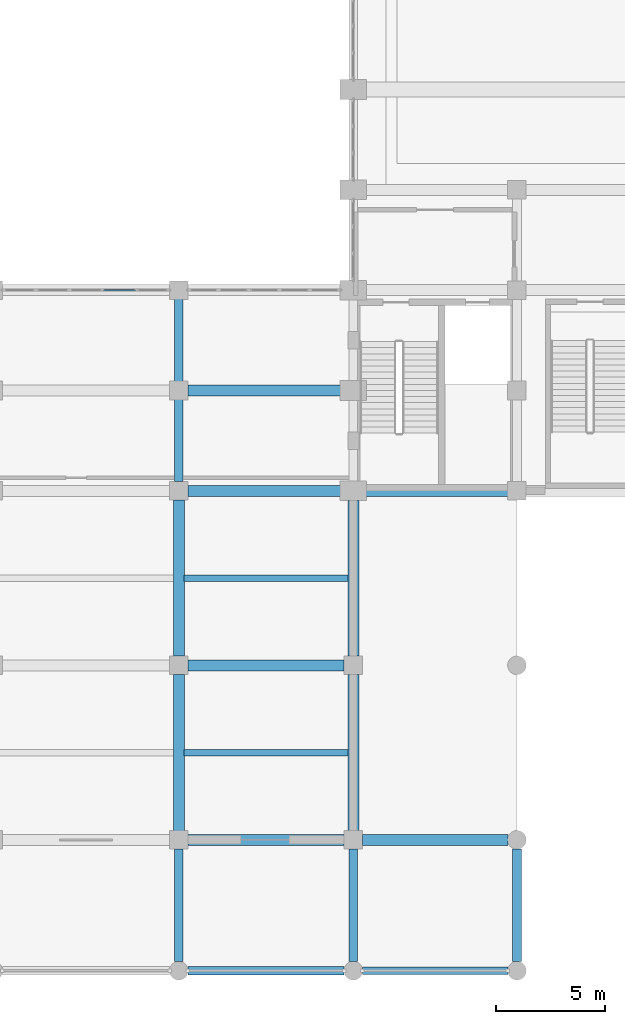
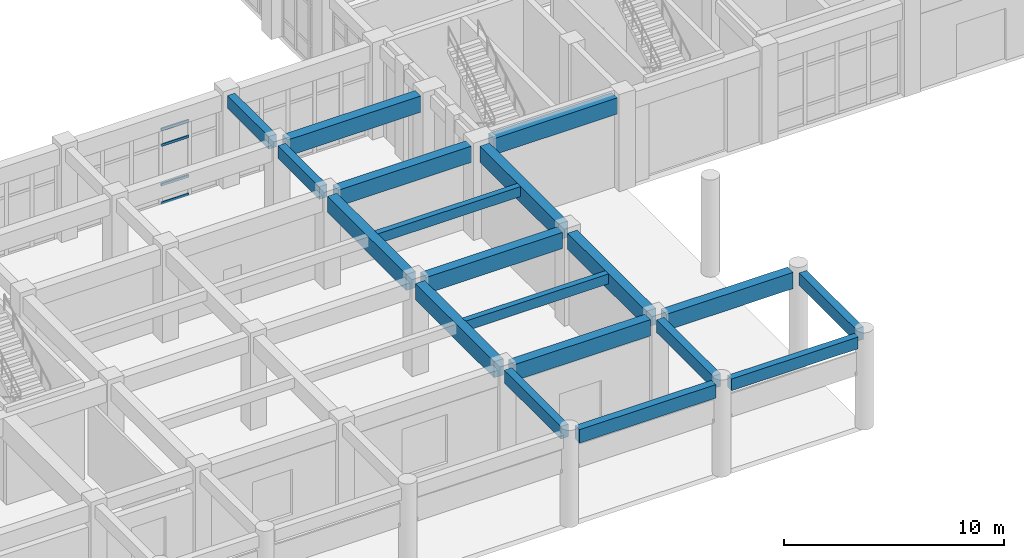
# One storey, part 10 of 84: 19 beams, 4 members, 1 element without a shape of its own.
"""IFC4 building model written with IfcOpenShell, lengths in metres."""

from ifc_helpers import new_model, si_unit, direction, frame, origin, origin_2d, place, context, subcontext, project, spatial, rectangle, hollow_rectangle, extrude, material, layer, layer_set, material_profile, profile_set, type_object, element, aggregate, save


model = new_model("IFC4")

# Units and contexts
model_context = context("Model", 3, precision=1e-05, world=origin(), true_north=direction((0.0, 1.0)))
body_context = subcontext(model_context, "Body", "Model", "MODEL_VIEW")
ifc_project = project(units=[si_unit("LENGTHUNIT", "METRE"), si_unit("AREAUNIT", "SQUARE_METRE"), si_unit("VOLUMEUNIT", "CUBIC_METRE"), si_unit("PLANEANGLEUNIT", "RADIAN"), si_unit("MASSUNIT", "GRAM", prefix="KILO")], contexts=[model_context])

# Site, building, storey
site_placement = place(None, origin())
site = spatial("IfcSite", under=ifc_project, at=site_placement, CompositionType="ELEMENT")
building_placement = place(site_placement, origin())
building = spatial("IfcBuilding", under=site, at=building_placement, Name="Muzn Square Opera House", CompositionType="ELEMENT")
storey_placement = place(building_placement, origin())
storey = spatial("IfcBuildingStorey", under=building, at=storey_placement, Name="L00", CompositionType="ELEMENT", Elevation=0.0)

# Curtain wall, members
ifc_material_1 = material(Name="Low-E laminated acoustic double glazing", Category="glass")
ifc_layer = layer(ifc_material_1, 0.159912109375, Name="Low-E laminated acoustic double glazing", Category="glass")
ifc_layer_set = layer_set([ifc_layer], Name="Low-E laminated acoustic double glazing")
curtain_wall_type = type_object("IfcCurtainWallType", Name="Glazed Curtain Wall WestCloisterS 7650x4150", PredefinedType="USERDEFINED", material=ifc_layer_set)
curtain_wall_placement = place(storey_placement, origin())
curtain_wall = element("IfcCurtainWall", 1, at=curtain_wall_placement, inside=storey, type_object=curtain_wall_type, Name="Glazed Curtain Wall CW-L00-071", ObjectType="GLAZED CURTAIN WALL", PredefinedType="USERDEFINED")
ifc_material_2 = material(Name="Anodised bronze aluminium 6063-T6", Category="metal")
ifc_material_profile_1 = material_profile(ifc_material_2, hollow_rectangle(XDim=0.070068359375, YDim=0.139892578125, WallThickness=0.00390625, at=origin_2d()), Name="ALU 140x70x4", Category="metal")
ifc_profile_set_1 = profile_set([ifc_material_profile_1], Name="Anodised bronze aluminium 6063-T6")
member_type = type_object("IfcMemberType", Name="Curtain Wall Transom 140x70", PredefinedType="USERDEFINED", material=ifc_profile_set_1)
member_1_placement = place(storey_placement, frame((31.550048828125, 31.199951171875, 0.034912109375), z_axis=(1.0, 0.0, 0.0), x_axis=(0.0, 1.0, 0.0)))
member_1 = element("IfcMember", 2, at=member_1_placement, type_object=member_type, Name="CW-WCS-76x41 transom 4.1", ObjectType="TRANSOM", PredefinedType="USERDEFINED", context=body_context, shape_type="SweptSolid", body=[
    extrude(hollow_rectangle(XDim=0.070068359375, YDim=0.139892578125, WallThickness=0.00390625, at=origin_2d()), origin(), (0.0, 0.0, 1.0), 1.4599609375),
])
member_2_placement = place(storey_placement, frame((31.550048828125, 31.199951171875, 1.050048828125), z_axis=(1.0, 0.0, 0.0), x_axis=(0.0, 1.0, 0.0)))
member_2 = element("IfcMember", 3, at=member_2_placement, type_object=member_type, Name="CW-WCS-76x41 transom 4.2", ObjectType="TRANSOM", PredefinedType="USERDEFINED", context=body_context, shape_type="SweptSolid", body=[
    extrude(hollow_rectangle(XDim=0.070068359375, YDim=0.139892578125, WallThickness=0.00390625, at=origin_2d()), origin(), (0.0, 0.0, 1.0), 1.4599609375),
])
member_3_placement = place(storey_placement, frame((31.550048828125, 31.199951171875, 3.25), z_axis=(1.0, 0.0, 0.0), x_axis=(0.0, 1.0, 0.0)))
member_3 = element("IfcMember", 4, at=member_3_placement, type_object=member_type, Name="CW-WCS-76x41 transom 4.3", ObjectType="TRANSOM", PredefinedType="USERDEFINED", context=body_context, shape_type="SweptSolid", body=[
    extrude(hollow_rectangle(XDim=0.070068359375, YDim=0.139892578125, WallThickness=0.00390625, at=origin_2d()), origin(), (0.0, 0.0, 1.0), 1.4599609375),
])
member_4_placement = place(storey_placement, frame((31.550048828125, 31.199951171875, 4.114990234375), z_axis=(1.0, 0.0, 0.0), x_axis=(0.0, 1.0, 0.0)))
member_4 = element("IfcMember", 5, at=member_4_placement, type_object=member_type, Name="CW-WCS-76x41 transom 4.4", ObjectType="TRANSOM", PredefinedType="USERDEFINED", context=body_context, shape_type="SweptSolid", body=[
    extrude(hollow_rectangle(XDim=0.070068359375, YDim=0.139892578125, WallThickness=0.00390625, at=origin_2d()), origin(), (0.0, 0.0, 1.0), 1.4599609375),
])
aggregate(curtain_wall, [member_1, member_2, member_3, member_4])

# Beams
ifc_material_3 = material(Name="Concrete C40/50", Category="concrete")
ifc_material_profile_2 = material_profile(ifc_material_3, rectangle(XDim=0.300048828125, YDim=0.550048828125, at=origin_2d()), Name="RCJ 300x550", Category="concrete")
ifc_profile_set_2 = profile_set([ifc_material_profile_2], Name="Concrete C40/50")
beam_type_1 = type_object("IfcBeamType", Name="Floor Joist 300x550", PredefinedType="JOIST", material=ifc_profile_set_2)
for number, where, z_axis, x_axis, name in (
    (6, (35.241943359375, 10.0, 4.844970703125), (1.0, 0.0, 0.0), (0.0, 1.0, 0.0), "Floor Joist BM-L00-BM-J550-352_100_428_100-1202"),
    (7, (35.241943359375, 18.0, 4.844970703125), (1.0, 0.0, 0.0), (0.0, 1.0, 0.0), "Floor Joist BM-L00-BM-J550-352_180_428_180-1203"),
):
    element("IfcBeam", number, at=place(storey_placement, frame(where, z_axis=z_axis, x_axis=x_axis)), inside=storey, type_object=beam_type_1, Name=name, PredefinedType="JOIST", context=body_context, shape_type="SweptSolid", body=[
        extrude(rectangle(XDim=0.300048828125, YDim=0.550048828125, at=origin_2d()), origin(), (0.0, 0.0, 1.0), 7.51611328125),
    ])
ifc_material_profile_3 = material_profile(ifc_material_3, rectangle(XDim=0.39990234375, YDim=0.699951171875, at=origin_2d()), Name="RCB 400x700", Category="concrete")
ifc_profile_set_3 = profile_set([ifc_material_profile_3], Name="Concrete C40/50")
beam_type_2 = type_object("IfcBeamType", Name="Primary Girder 400x700", PredefinedType="BEAM", material=ifc_profile_set_3)
beam_1_placement = place(storey_placement, frame((35.0, 0.4169921875, 4.7900390625), z_axis=(0.0, 1.0, 0.0), x_axis=(-1.0, 0.0, 0.0)))
element("IfcBeam", 8, at=beam_1_placement, inside=storey, type_object=beam_type_2, Name="Primary Girder BM-L00-BM-PG700-350_4_350_56-1007", PredefinedType="BEAM", context=body_context, shape_type="SweptSolid", body=[
    extrude(rectangle(XDim=0.39990234375, YDim=0.699951171875, at=origin_2d()), origin(), (0.0, 0.0, 1.0), 5.166015625),
])
beam_2_placement = place(storey_placement, frame((35.0, 22.4169921875, 4.77001953125), z_axis=(0.0, 1.0, 0.0), x_axis=(-1.0, 0.0, 0.0)))
element("IfcBeam", 9, at=beam_2_placement, inside=storey, type_object=beam_type_2, Name="Primary Girder BM-L00-BM-PG700-350_224_350_262-1010", PredefinedType="BEAM", context=body_context, shape_type="SweptSolid", body=[
    extrude(rectangle(XDim=0.39990234375, YDim=0.699951171875, at=origin_2d()), origin(), (0.0, 0.0, 1.0), 3.76611328125),
])
beam_3_placement = place(storey_placement, frame((35.0, 27.01708984375, 4.77001953125), z_axis=(0.0, 1.0, 0.0), x_axis=(-1.0, 0.0, 0.0)))
element("IfcBeam", 10, at=beam_3_placement, inside=storey, type_object=beam_type_2, Name="Primary Girder BM-L00-BM-PG700-350_270_350_308-1011", PredefinedType="BEAM", context=body_context, shape_type="SweptSolid", body=[
    extrude(rectangle(XDim=0.39990234375, YDim=0.699951171875, at=origin_2d()), origin(), (0.0, 0.0, 1.0), 3.765869140625),
])
for number, where, z_axis, x_axis, name in (
    (11, (43.0, 0.4169921875, 4.7900390625), (0.0, 1.0, 0.0), (-1.0, 0.0, 0.0), "Primary Girder BM-L00-BM-PG700-430_4_430_56-1020"),
    (12, (50.5, 0.4169921875, 4.77001953125), (0.0, 1.0, 0.0), (-1.0, 0.0, 0.0), "Primary Girder BM-L00-BM-PG700-505_4_505_56-1038"),
):
    element("IfcBeam", number, at=place(storey_placement, frame(where, z_axis=z_axis, x_axis=x_axis)), inside=storey, type_object=beam_type_2, Name=name, PredefinedType="BEAM", context=body_context, shape_type="SweptSolid", body=[
        extrude(rectangle(XDim=0.39990234375, YDim=0.699951171875, at=origin_2d()), origin(), (0.0, 0.0, 1.0), 5.166015625),
    ])
ifc_material_profile_4 = material_profile(ifc_material_3, rectangle(XDim=0.5, YDim=0.89990234375, at=origin_2d()), Name="RCB 500x900", Category="concrete")
ifc_profile_set_4 = profile_set([ifc_material_profile_4], Name="Concrete C40/50")
beam_type_3 = type_object("IfcBeamType", Name="Primary Girder 500x900", PredefinedType="BEAM", material=ifc_profile_set_4)
beam_4_placement = place(storey_placement, frame((35.4169921875, 6.0, 4.669921875), z_axis=(1.0, 0.0, 0.0), x_axis=(0.0, 1.0, 0.0)))
element("IfcBeam", 13, at=beam_4_placement, inside=storey, type_object=beam_type_3, Name="Primary Girder BM-L00-BM-PG900-354_60_426_60-739", PredefinedType="BEAM", context=body_context, shape_type="SweptSolid", body=[
    extrude(rectangle(XDim=0.5, YDim=0.89990234375, at=origin_2d()), origin(), (0.0, 0.0, 1.0), 7.166015625),
])
beam_5_placement = place(storey_placement, frame((43.4169921875, 6.0, 4.669921875), z_axis=(1.0, 0.0, 0.0), x_axis=(0.0, 1.0, 0.0)))
element("IfcBeam", 14, at=beam_5_placement, inside=storey, type_object=beam_type_3, Name="Primary Girder BM-L00-BM-PG900-434_60_501_60-740", PredefinedType="BEAM", context=body_context, shape_type="SweptSolid", body=[
    extrude(rectangle(XDim=0.5, YDim=0.89990234375, at=origin_2d()), origin(), (0.0, 0.0, 1.0), 6.666015625),
])
beam_6_placement = place(storey_placement, frame((35.4169921875, 14.0, 4.669921875), z_axis=(1.0, 0.0, 0.0), x_axis=(0.0, 1.0, 0.0)))
element("IfcBeam", 15, at=beam_6_placement, inside=storey, type_object=beam_type_3, Name="Primary Girder BM-L00-BM-PG900-354_140_426_140-751", PredefinedType="BEAM", context=body_context, shape_type="SweptSolid", body=[
    extrude(rectangle(XDim=0.5, YDim=0.89990234375, at=origin_2d()), origin(), (0.0, 0.0, 1.0), 7.166015625),
])
beam_7_placement = place(storey_placement, frame((35.4169921875, 22.0, 4.669921875), z_axis=(1.0, 0.0, 0.0), x_axis=(0.0, 1.0, 0.0)))
element("IfcBeam", 16, at=beam_7_placement, inside=storey, type_object=beam_type_3, Name="Primary Girder BM-L00-BM-PG900-354_220_424_220-758", PredefinedType="BEAM", context=body_context, shape_type="SweptSolid", body=[
    extrude(rectangle(XDim=0.5, YDim=0.89990234375, at=origin_2d()), origin(), (0.0, 0.0, 1.0), 6.990966796875),
])
beam_8_placement = place(storey_placement, frame((43.592041015625, 22.0, 4.669921875), z_axis=(1.0, 0.0, 0.0), x_axis=(0.0, 1.0, 0.0)))
element("IfcBeam", 17, at=beam_8_placement, inside=storey, type_object=beam_type_3, Name="Primary Girder BM-L00-BM-PG900-436_220_501_220-759", PredefinedType="BEAM", context=body_context, shape_type="SweptSolid", body=[
    extrude(rectangle(XDim=0.5, YDim=0.89990234375, at=origin_2d()), origin(), (0.0, 0.0, 1.0), 6.490966796875),
])
beam_9_placement = place(storey_placement, frame((35.4169921875, 26.60009765625, 4.669921875), z_axis=(1.0, 0.0, 0.0), x_axis=(0.0, 1.0, 0.0)))
element("IfcBeam", 18, at=beam_9_placement, inside=storey, type_object=beam_type_3, Name="Primary Girder BM-L00-BM-PG900-354_266_424_266-778", PredefinedType="BEAM", context=body_context, shape_type="SweptSolid", body=[
    extrude(rectangle(XDim=0.5, YDim=0.89990234375, at=origin_2d()), origin(), (0.0, 0.0, 1.0), 6.990966796875),
])
for number, where, z_axis, x_axis, name in (
    (19, (35.0, 6.4169921875, 4.669921875), (0.0, 1.0, 0.0), (-1.0, 0.0, 0.0), "Primary Girder BM-L00-BM-PG900-350_64_350_136-1008"),
    (20, (35.0, 14.4169921875, 4.669921875), (0.0, 1.0, 0.0), (-1.0, 0.0, 0.0), "Primary Girder BM-L00-BM-PG900-350_144_350_216-1009"),
    (21, (43.0, 6.4169921875, 4.669921875), (0.0, 1.0, 0.0), (-1.0, 0.0, 0.0), "Primary Girder BM-L00-BM-PG900-430_64_430_136-1021"),
):
    element("IfcBeam", number, at=place(storey_placement, frame(where, z_axis=z_axis, x_axis=x_axis)), inside=storey, type_object=beam_type_3, Name=name, PredefinedType="BEAM", context=body_context, shape_type="SweptSolid", body=[
        extrude(rectangle(XDim=0.5, YDim=0.89990234375, at=origin_2d()), origin(), (0.0, 0.0, 1.0), 7.166015625),
    ])
beam_10_placement = place(storey_placement, frame((43.0, 14.4169921875, 4.669921875), z_axis=(0.0, 1.0, 0.0), x_axis=(-1.0, 0.0, 0.0)))
element("IfcBeam", 22, at=beam_10_placement, inside=storey, type_object=beam_type_3, Name="Primary Girder BM-L00-BM-PG900-430_144_430_216-1022", PredefinedType="BEAM", context=body_context, shape_type="SweptSolid", body=[
    extrude(rectangle(XDim=0.5, YDim=0.89990234375, at=origin_2d()), origin(), (0.0, 0.0, 1.0), 7.14111328125),
])
ifc_material_profile_5 = material_profile(ifc_material_3, rectangle(XDim=0.35009765625, YDim=0.64990234375, at=origin_2d()), Name="RCS 350x650", Category="concrete")
ifc_profile_set_5 = profile_set([ifc_material_profile_5], Name="Concrete C40/50")
beam_type_4 = type_object("IfcBeamType", Name="Spandrel Beam 350x650", PredefinedType="SPANDREL", material=ifc_profile_set_5)
beam_11_placement = place(storey_placement, frame((43.4169921875, 0.0, 4.794921875), z_axis=(1.0, 0.0, 0.0), x_axis=(0.0, 1.0, 0.0)))
element("IfcBeam", 23, at=beam_11_placement, inside=storey, type_object=beam_type_4, Name="Spandrel Beam BM-L00-BM-SP650-434_0_501_0-726", PredefinedType="SPANDREL", context=body_context, shape_type="SweptSolid", body=[
    extrude(rectangle(XDim=0.35009765625, YDim=0.64990234375, at=origin_2d()), origin(), (0.0, 0.0, 1.0), 6.666015625),
])
ifc_material_profile_6 = material_profile(ifc_material_3, rectangle(XDim=0.39990234375, YDim=0.75, at=origin_2d()), Name="RCS 400x750", Category="concrete")
ifc_profile_set_6 = profile_set([ifc_material_profile_6], Name="Concrete C40/50")
beam_type_5 = type_object("IfcBeamType", Name="Spandrel Beam 400x750", PredefinedType="SPANDREL", material=ifc_profile_set_6)
beam_12_placement = place(storey_placement, frame((35.4169921875, 0.0, 4.7451171875), z_axis=(1.0, 0.0, 0.0), x_axis=(0.0, 1.0, 0.0)))
element("IfcBeam", 24, at=beam_12_placement, inside=storey, type_object=beam_type_5, Name="Spandrel Beam BM-L00-BM-SP750-354_0_426_0-725", PredefinedType="SPANDREL", context=body_context, shape_type="SweptSolid", body=[
    extrude(rectangle(XDim=0.39990234375, YDim=0.75, at=origin_2d()), origin(), (0.0, 0.0, 1.0), 7.166015625),
])

save(model, "model.ifc")
